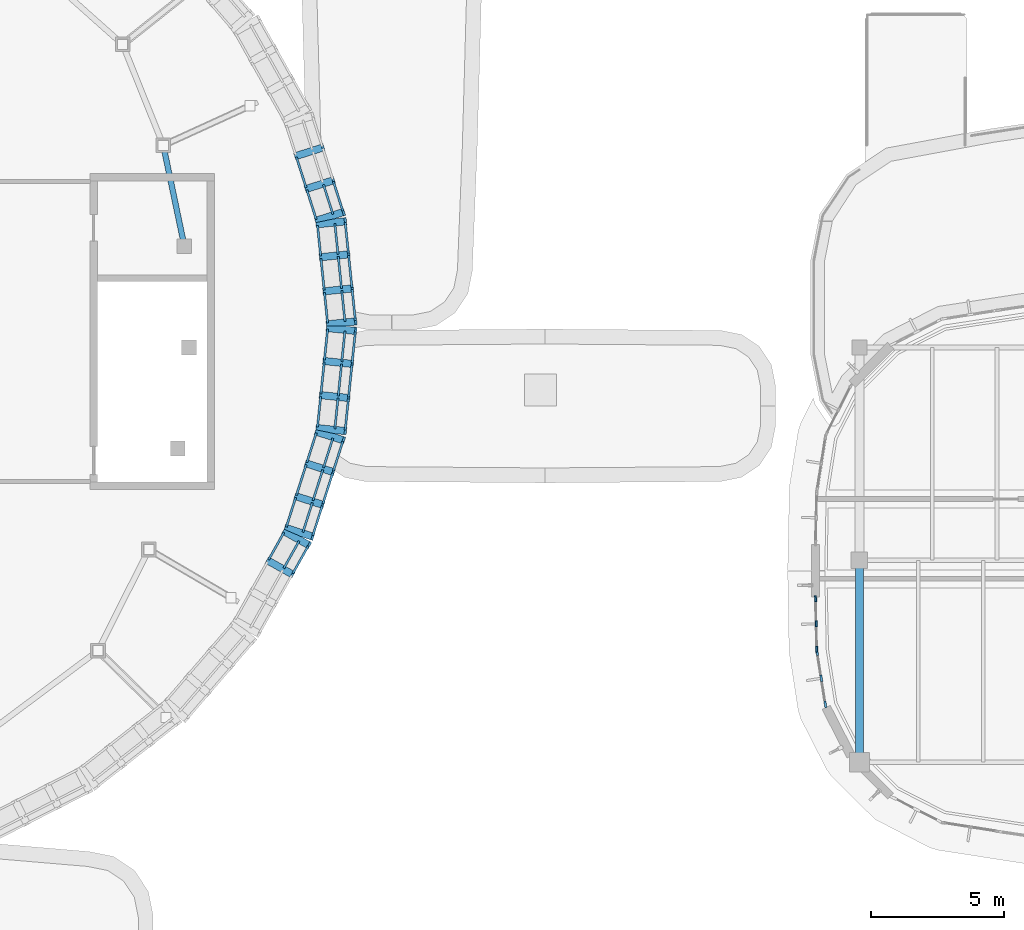
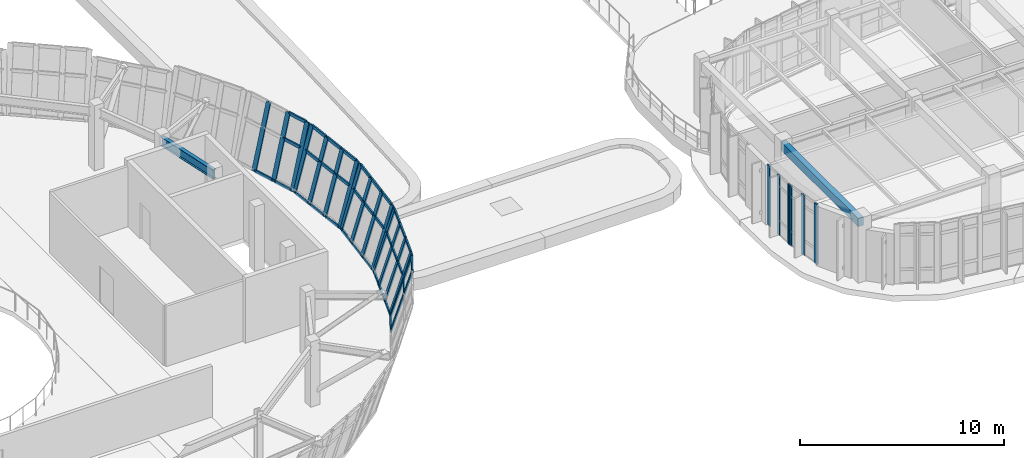
# One storey, part 22 of 111: 57 members, 2 beams, 7 elements without a shape of their own.
"""IFC4 building model written with IfcOpenShell, lengths in metres."""

from ifc_helpers import new_model, si_unit, direction, frame, origin, origin_2d, place, context, subcontext, project, spatial, rectangle, i_section, extrude, material, material_profile, profile_set, type_object, element, aggregate, save


model = new_model("IFC4")

# Units and contexts
model_context = context("Model", 3, precision=1e-05, world=origin(), true_north=direction((0.0, 1.0)))
body_context = subcontext(model_context, "Body", "Model", "MODEL_VIEW")
ifc_project = project(units=[si_unit("LENGTHUNIT", "METRE"), si_unit("AREAUNIT", "SQUARE_METRE"), si_unit("VOLUMEUNIT", "CUBIC_METRE"), si_unit("PLANEANGLEUNIT", "RADIAN"), si_unit("MASSUNIT", "GRAM", prefix="KILO")], contexts=[model_context])

# Site, building, storey
site_placement = place(None, origin())
site = spatial("IfcSite", under=ifc_project, at=site_placement, CompositionType="ELEMENT")
building_placement = place(site_placement, origin())
building = spatial("IfcBuilding", under=site, at=building_placement, Name="Corveleigh Park Community Centre", CompositionType="ELEMENT")
storey_placement = place(building_placement, frame((0.0, 0.0, 4.800048828125)))
storey = spatial("IfcBuildingStorey", under=building, at=storey_placement, Name="L01", CompositionType="ELEMENT", Elevation=4.800048828125)

# Beams
ifc_material_1 = material(Name="Concrete C40/50", Category="concrete")
ifc_material_profile_1 = material_profile(ifc_material_1, rectangle(XDim=0.300048828125, YDim=0.5, at=origin_2d()), Name="RC-300x500", Category="concrete")
ifc_profile_set_1 = profile_set([ifc_material_profile_1], Name="Concrete C40/50")
beam_type_1 = type_object("IfcBeamType", Name="BM-RC-300x500", PredefinedType="BEAM", material=ifc_profile_set_1)
beam_1_placement = place(storey_placement, frame((72.0, 11.205078125, 3.369873046875), z_axis=(0.0, 1.0, 0.0), x_axis=(-1.0, 0.0, 0.0)))
element("IfcBeam", 1, at=beam_1_placement, inside=storey, type_object=beam_type_1, Name="V3 Girder Y", PredefinedType="BEAM", context=body_context, shape_type="SweptSolid", body=[
    extrude(rectangle(XDim=0.300048828125, YDim=0.5, at=origin_2d()), origin(), (0.0, 0.0, 1.0), 7.58984375),
])
ifc_material_2 = material(Name="Steel S355", Category="steel")
ifc_material_profile_2 = material_profile(ifc_material_2, i_section(OverallWidth=0.210693359375, OverallDepth=0.53955078125, WebThickness=0.01171875, FlangeThickness=0.018798828125, at=origin_2d()), Name="UKB 533x210x109", Category="steel")
ifc_profile_set_2 = profile_set([ifc_material_profile_2], Name="Steel S355")
beam_type_2 = type_object("IfcBeamType", Name="BM-STL-UKB533x109", PredefinedType="BEAM", material=ifc_profile_set_2)
beam_2_placement = place(storey_placement, frame((46.613037109375, 30.60498046875, 3.34228515625), z_axis=(-0.204790105702, 0.978805911612, 0.0), x_axis=(-0.978805911612, -0.204790105702, 0.0)))
element("IfcBeam", 2, at=beam_2_placement, inside=storey, type_object=beam_type_2, Name="V1 Drum Ring Girder", PredefinedType="BEAM", context=body_context, shape_type="SweptSolid", body=[
    extrude(i_section(OverallWidth=0.210693359375, OverallDepth=0.53955078125, WebThickness=0.01171875, FlangeThickness=0.018798828125, at=origin_2d()), origin(), (0.0, 0.0, 1.0), 3.8720703125),
])

# Curtain wall, members
ifc_material_3 = material(Name="Anodised aluminium 6063-T6", Category="aluminium")
curtain_wall_type_1 = type_object("IfcCurtainWallType", Name="CW-SYS-V3-UPP", PredefinedType="NOTDEFINED", material=ifc_material_3)
curtain_wall_1_placement = place(storey_placement, origin())
curtain_wall_1 = element("IfcCurtainWall", 3, at=curtain_wall_1_placement, inside=storey, type_object=curtain_wall_type_1, Name="V3 L01 Curtain Wall 256", PredefinedType="NOTDEFINED")
ifc_material_profile_3 = material_profile(ifc_material_3, rectangle(XDim=0.074951171875, YDim=0.219970703125, at=origin_2d()), Name="ALU-M75x220", Category="aluminium")
ifc_profile_set_3 = profile_set([ifc_material_profile_3], Name="Anodised aluminium 6063-T6")
member_type_1 = type_object("IfcMemberType", Name="CWM-75x220", PredefinedType="MULLION", material=ifc_profile_set_3)
member_1_placement = place(storey_placement, frame((70.39892578125, 15.45654296875, 0.0), z_axis=(0.0, 0.0, 1.0), x_axis=(-0.999652514683, -0.026360005464, 0.0)))
member_1 = element("IfcMember", 4, at=member_1_placement, type_object=member_type_1, Name="CW06 mullion 1", PredefinedType="MULLION", context=body_context, shape_type="SweptSolid", body=[
    extrude(rectangle(XDim=0.074951171875, YDim=0.219970703125, at=origin_2d()), origin(), (0.0, 0.0, 1.0), 3.612060546875),
])
member_2_placement = place(storey_placement, frame((70.3740234375, 16.405029296875, 0.0), z_axis=(0.0, 0.0, 1.0), x_axis=(-0.999652514683, -0.026360005464, 0.0)))
member_2 = element("IfcMember", 5, at=member_2_placement, type_object=member_type_1, Name="CW06 mullion 2", PredefinedType="MULLION", context=body_context, shape_type="SweptSolid", body=[
    extrude(rectangle(XDim=0.074951171875, YDim=0.219970703125, at=origin_2d()), origin(), (0.0, 0.0, 1.0), 3.612060546875),
])
member_3_placement = place(storey_placement, frame((70.348876953125, 17.353515625, 0.0), z_axis=(0.0, 0.0, 1.0), x_axis=(-0.999652514683, -0.026360005464, 0.0)))
member_3 = element("IfcMember", 6, at=member_3_placement, type_object=member_type_1, Name="CW06 mullion 3", PredefinedType="MULLION", context=body_context, shape_type="SweptSolid", body=[
    extrude(rectangle(XDim=0.074951171875, YDim=0.219970703125, at=origin_2d()), origin(), (0.0, 0.0, 1.0), 3.612060546875),
])
aggregate(curtain_wall_1, [member_1, member_2, member_3])

curtain_wall_2_placement = place(storey_placement, origin())
curtain_wall_2 = element("IfcCurtainWall", 7, at=curtain_wall_2_placement, inside=storey, type_object=curtain_wall_type_1, Name="V3 L01 Curtain Wall 257", PredefinedType="NOTDEFINED")
ifc_material_profile_4 = material_profile(ifc_material_3, rectangle(XDim=0.080078125, YDim=0.25, at=origin_2d()), Name="ALU-M80x250", Category="aluminium")
ifc_profile_set_4 = profile_set([ifc_material_profile_4], Name="Anodised aluminium 6063-T6")
member_type_2 = type_object("IfcMemberType", Name="CWM-80x250", PredefinedType="MULLION", material=ifc_profile_set_4)
member_4_placement = place(storey_placement, frame((70.720703125, 13.37646484375, 0.0), z_axis=(0.0, 0.0, 1.0), x_axis=(-0.987668756947, -0.156558061275, 0.0)))
member_4 = element("IfcMember", 8, at=member_4_placement, type_object=member_type_2, Name="CW06 mullion 1", PredefinedType="MULLION", context=body_context, shape_type="SweptSolid", body=[
    extrude(rectangle(XDim=0.080078125, YDim=0.25, at=origin_2d()), origin(), (0.0, 0.0, 1.0), 3.619873046875),
])
member_5_placement = place(storey_placement, frame((70.56494140625, 14.35888671875, 0.0), z_axis=(0.0, 0.0, 1.0), x_axis=(-0.987668756947, -0.156558061275, 0.0)))
member_5 = element("IfcMember", 9, at=member_5_placement, type_object=member_type_2, Name="CW06 mullion 2", PredefinedType="MULLION", context=body_context, shape_type="SweptSolid", body=[
    extrude(rectangle(XDim=0.080078125, YDim=0.25, at=origin_2d()), origin(), (0.0, 0.0, 1.0), 3.619873046875),
])
member_6_placement = place(storey_placement, frame((70.4091796875, 15.341552734375, 0.0), z_axis=(0.0, 0.0, 1.0), x_axis=(-0.987668756947, -0.156558061275, 0.0)))
member_6 = element("IfcMember", 10, at=member_6_placement, type_object=member_type_2, Name="CW06 mullion 3", PredefinedType="MULLION", context=body_context, shape_type="SweptSolid", body=[
    extrude(rectangle(XDim=0.080078125, YDim=0.25, at=origin_2d()), origin(), (0.0, 0.0, 1.0), 3.619873046875),
])
aggregate(curtain_wall_2, [member_4, member_5, member_6])

curtain_wall_type_2 = type_object("IfcCurtainWallType", Name="CW-SYS-V1-DRUM", PredefinedType="NOTDEFINED", material=ifc_material_3)
curtain_wall_3_placement = place(storey_placement, origin())
curtain_wall_3 = element("IfcCurtainWall", 11, at=curtain_wall_3_placement, inside=storey, type_object=curtain_wall_type_2, Name="Main Hall Flared Drum CW 162", PredefinedType="NOTDEFINED")
ifc_material_profile_5 = material_profile(ifc_material_3, rectangle(XDim=0.0849609375, YDim=0.27490234375, at=origin_2d()), Name="ALU-M85x275", Category="aluminium")
ifc_profile_set_5 = profile_set([ifc_material_profile_5], Name="Anodised aluminium 6063-T6")
member_type_3 = type_object("IfcMemberType", Name="CWM-85x275", PredefinedType="MULLION", material=ifc_profile_set_5)
member_7_placement = place(storey_placement, frame((51.99267578125, 27.669189453125, 0.0), z_axis=(0.282494852928, 0.029228074942, 0.958823434061), x_axis=(-0.953732257029, -0.098677047011, 0.28400285614)))
member_7 = element("IfcMember", 12, at=member_7_placement, type_object=member_type_3, Name="CW02 mullion 1", PredefinedType="MULLION", context=body_context, shape_type="SweptSolid", body=[
    extrude(rectangle(XDim=0.0849609375, YDim=0.27490234375, at=origin_2d()), origin(), (0.0, 0.0, 1.0), 3.76708984375),
])
member_8_placement = place(storey_placement, frame((51.8642578125, 28.90966796875, 0.0), z_axis=(0.282554486716, 0.029227539796, 0.958805878661), x_axis=(-0.953717111379, -0.098652847989, 0.284062118287)))
member_8 = element("IfcMember", 13, at=member_8_placement, type_object=member_type_3, Name="CW02 mullion 2", PredefinedType="MULLION", context=body_context, shape_type="SweptSolid", body=[
    extrude(rectangle(XDim=0.0849609375, YDim=0.27490234375, at=origin_2d()), origin(), (0.0, 0.0, 1.0), 3.767333984375),
])
member_9_placement = place(storey_placement, frame((51.731689453125, 30.1923828125, 0.0), z_axis=(0.282494852928, 0.029228074942, 0.958823434061), x_axis=(-0.953732257029, -0.098677047011, 0.28400285614)))
member_9 = element("IfcMember", 14, at=member_9_placement, type_object=member_type_3, Name="CW02 mullion 3", PredefinedType="MULLION", context=body_context, shape_type="SweptSolid", body=[
    extrude(rectangle(XDim=0.0849609375, YDim=0.27490234375, at=origin_2d()), origin(), (0.0, 0.0, 1.0), 3.76708984375),
])
member_10_placement = place(storey_placement, frame((51.603271484375, 31.4326171875, 0.0), z_axis=(0.282554486716, 0.029227539796, 0.958805878661), x_axis=(-0.953717111379, -0.098652847989, 0.284062118287)))
member_10 = element("IfcMember", 15, at=member_10_placement, type_object=member_type_3, Name="CW02 mullion 4", PredefinedType="MULLION", context=body_context, shape_type="SweptSolid", body=[
    extrude(rectangle(XDim=0.0849609375, YDim=0.27490234375, at=origin_2d()), origin(), (0.0, 0.0, 1.0), 3.767333984375),
])

curtain_wall_4_placement = place(storey_placement, origin())
curtain_wall_4 = element("IfcCurtainWall", 16, at=curtain_wall_4_placement, inside=storey, type_object=curtain_wall_type_2, Name="Main Hall Flared Drum CW 163", PredefinedType="NOTDEFINED")
member_11_placement = place(storey_placement, frame((51.5751953125, 31.568603515625, 0.0), z_axis=(0.270633081512, 0.086193007282, 0.958816197551), x_axis=(-0.913600188234, -0.290969408609, 0.284027286212)))
member_11 = element("IfcMember", 17, at=member_11_placement, type_object=member_type_3, Name="CW02 mullion 1", PredefinedType="MULLION", context=body_context, shape_type="SweptSolid", body=[
    extrude(rectangle(XDim=0.0849609375, YDim=0.27490234375, at=origin_2d()), origin(), (0.0, 0.0, 1.0), 3.76708984375),
])
member_12_placement = place(storey_placement, frame((51.195068359375, 32.76171875, 0.0), z_axis=(0.270633081512, 0.086193007282, 0.958816197551), x_axis=(-0.913600188234, -0.290969408609, 0.284027286212)))
member_12 = element("IfcMember", 18, at=member_12_placement, type_object=member_type_3, Name="CW02 mullion 2", PredefinedType="MULLION", context=body_context, shape_type="SweptSolid", body=[
    extrude(rectangle(XDim=0.0849609375, YDim=0.27490234375, at=origin_2d()), origin(), (0.0, 0.0, 1.0), 3.76708984375),
])
member_13_placement = place(storey_placement, frame((50.802001953125, 33.995361328125, 0.0), z_axis=(0.270633081512, 0.086193007282, 0.958816197551), x_axis=(-0.913600188234, -0.290969408609, 0.284027286212)))
member_13 = element("IfcMember", 19, at=member_13_placement, type_object=member_type_3, Name="CW02 mullion 3", PredefinedType="MULLION", context=body_context, shape_type="SweptSolid", body=[
    extrude(rectangle(XDim=0.0849609375, YDim=0.27490234375, at=origin_2d()), origin(), (0.0, 0.0, 1.0), 3.76708984375),
])

curtain_wall_5_placement = place(storey_placement, origin())
curtain_wall_5 = element("IfcCurtainWall", 20, at=curtain_wall_5_placement, inside=storey, type_object=curtain_wall_type_2, Name="Main Hall Flared Drum CW 191", PredefinedType="NOTDEFINED")
member_14_placement = place(storey_placement, frame((49.75, 18.785888671875, 0.0), z_axis=(0.247693281715, -0.138946728414, 0.958823156195), x_axis=(-0.836235497404, 0.469097045116, 0.284003794242)))
member_14 = element("IfcMember", 21, at=member_14_placement, type_object=member_type_3, Name="CW02 mullion 3", PredefinedType="MULLION", context=body_context, shape_type="SweptSolid", body=[
    extrude(rectangle(XDim=0.0849609375, YDim=0.27490234375, at=origin_2d()), origin(), (0.0, 0.0, 1.0), 3.76708984375),
])
member_15_placement = place(storey_placement, frame((50.3671875, 19.885986328125, 0.0), z_axis=(0.247691050808, -0.139010283617, 0.958814520331), x_axis=(-0.836134602223, 0.469259215534, 0.284032948092)))
member_15 = element("IfcMember", 22, at=member_15_placement, type_object=member_type_3, Name="CW02 mullion 4", PredefinedType="MULLION", context=body_context, shape_type="SweptSolid", body=[
    extrude(rectangle(XDim=0.0849609375, YDim=0.27490234375, at=origin_2d()), origin(), (0.0, 0.0, 1.0), 3.767333984375),
])

curtain_wall_6_placement = place(storey_placement, origin())
curtain_wall_6 = element("IfcCurtainWall", 23, at=curtain_wall_6_placement, inside=storey, type_object=curtain_wall_type_2, Name="Main Hall Flared Drum CW 192", PredefinedType="NOTDEFINED")
member_16_placement = place(storey_placement, frame((50.421875, 20.011474609375, 0.0), z_axis=(0.270633081512, -0.086193007282, 0.958816197551), x_axis=(-0.913600188234, 0.290969408609, 0.284027286212)))
member_16 = element("IfcMember", 24, at=member_16_placement, type_object=member_type_3, Name="CW02 mullion 1", PredefinedType="MULLION", context=body_context, shape_type="SweptSolid", body=[
    extrude(rectangle(XDim=0.0849609375, YDim=0.27490234375, at=origin_2d()), origin(), (0.0, 0.0, 1.0), 3.76708984375),
])
member_17_placement = place(storey_placement, frame((50.802001953125, 21.20458984375, 0.0), z_axis=(0.270633081512, -0.086193007282, 0.958816197551), x_axis=(-0.913600188234, 0.290969408609, 0.284027286212)))
member_17 = element("IfcMember", 25, at=member_17_placement, type_object=member_type_3, Name="CW02 mullion 2", PredefinedType="MULLION", context=body_context, shape_type="SweptSolid", body=[
    extrude(rectangle(XDim=0.0849609375, YDim=0.27490234375, at=origin_2d()), origin(), (0.0, 0.0, 1.0), 3.76708984375),
])
member_18_placement = place(storey_placement, frame((51.195068359375, 22.438232421875, 0.0), z_axis=(0.270633081512, -0.086193007282, 0.958816197551), x_axis=(-0.913600188234, 0.290969408609, 0.284027286212)))
member_18 = element("IfcMember", 26, at=member_18_placement, type_object=member_type_3, Name="CW02 mullion 3", PredefinedType="MULLION", context=body_context, shape_type="SweptSolid", body=[
    extrude(rectangle(XDim=0.0849609375, YDim=0.27490234375, at=origin_2d()), origin(), (0.0, 0.0, 1.0), 3.76708984375),
])
member_19_placement = place(storey_placement, frame((51.5751953125, 23.631591796875, 0.0), z_axis=(0.27063156923, -0.086257332051, 0.95881083974), x_axis=(-0.913531806337, 0.291166387508, 0.284045372426)))
member_19 = element("IfcMember", 27, at=member_19_placement, type_object=member_type_3, Name="CW02 mullion 4", PredefinedType="MULLION", context=body_context, shape_type="SweptSolid", body=[
    extrude(rectangle(XDim=0.0849609375, YDim=0.27490234375, at=origin_2d()), origin(), (0.0, 0.0, 1.0), 3.767333984375),
])

curtain_wall_7_placement = place(storey_placement, origin())
curtain_wall_7 = element("IfcCurtainWall", 28, at=curtain_wall_7_placement, inside=storey, type_object=curtain_wall_type_2, Name="Main Hall Flared Drum CW 193", PredefinedType="NOTDEFINED")
member_20_placement = place(storey_placement, frame((51.603271484375, 23.767333984375, 0.0), z_axis=(0.282554486716, -0.029227539796, 0.958805878661), x_axis=(-0.953717111379, 0.098652847989, 0.284062118287)))
member_20 = element("IfcMember", 29, at=member_20_placement, type_object=member_type_3, Name="CW02 mullion 1", PredefinedType="MULLION", context=body_context, shape_type="SweptSolid", body=[
    extrude(rectangle(XDim=0.0849609375, YDim=0.27490234375, at=origin_2d()), origin(), (0.0, 0.0, 1.0), 3.767333984375),
])
member_21_placement = place(storey_placement, frame((51.731689453125, 25.007568359375, 0.0), z_axis=(0.282495387436, -0.02916332286, 0.958825248248), x_axis=(-0.953756435359, 0.09846074694, 0.283996731183)))
member_21 = element("IfcMember", 30, at=member_21_placement, type_object=member_type_3, Name="CW02 mullion 2", PredefinedType="MULLION", context=body_context, shape_type="SweptSolid", body=[
    extrude(rectangle(XDim=0.0849609375, YDim=0.27490234375, at=origin_2d()), origin(), (0.0, 0.0, 1.0), 3.76708984375),
])
member_22_placement = place(storey_placement, frame((51.8642578125, 26.290283203125, 0.0), z_axis=(0.282554486716, -0.029227539796, 0.958805878661), x_axis=(-0.953717111379, 0.098652847989, 0.284062118287)))
member_22 = element("IfcMember", 31, at=member_22_placement, type_object=member_type_3, Name="CW02 mullion 3", PredefinedType="MULLION", context=body_context, shape_type="SweptSolid", body=[
    extrude(rectangle(XDim=0.0849609375, YDim=0.27490234375, at=origin_2d()), origin(), (0.0, 0.0, 1.0), 3.767333984375),
])
member_23_placement = place(storey_placement, frame((51.99267578125, 27.53076171875, 0.0), z_axis=(0.282494852928, -0.029228074942, 0.958823434061), x_axis=(-0.953732257029, 0.098677047011, 0.28400285614)))
member_23 = element("IfcMember", 32, at=member_23_placement, type_object=member_type_3, Name="CW02 mullion 4", PredefinedType="MULLION", context=body_context, shape_type="SweptSolid", body=[
    extrude(rectangle(XDim=0.0849609375, YDim=0.27490234375, at=origin_2d()), origin(), (0.0, 0.0, 1.0), 3.76708984375),
])

# Member
ifc_material_profile_6 = material_profile(ifc_material_3, rectangle(XDim=0.080078125, YDim=0.195068359375, at=origin_2d()), Name="ALU-T80x195", Category="aluminium")
ifc_profile_set_6 = profile_set([ifc_material_profile_6], Name="Anodised aluminium 6063-T6")
member_type_4 = type_object("IfcMemberType", Name="CWT-80x195", PredefinedType="USERDEFINED", material=ifc_profile_set_6)
member_24_placement = place(storey_placement, frame((52.0, 27.712646484375, 0.0400390625), z_axis=(-0.102934986728, 0.994688086039, 0.0), x_axis=(-0.994688086039, -0.102934986728, 0.0)))
member_24 = element("IfcMember", 33, at=member_24_placement, type_object=member_type_4, Name="CW02 transom 1.1", ObjectType="TRANSOM", PredefinedType="USERDEFINED", context=body_context, shape_type="SweptSolid", body=[
    extrude(rectangle(XDim=0.080078125, YDim=0.195068359375, at=origin_2d()), origin(), (0.0, 0.0, 1.0), 1.162109375),
])

member_25_placement = place(storey_placement, frame((52.6513671875, 27.780029296875, 2.25), z_axis=(-0.102934986728, 0.994688086039, 0.0), x_axis=(-0.994688086039, -0.102934986728, 0.0)))
member_25 = element("IfcMember", 34, at=member_25_placement, type_object=member_type_4, Name="CW02 transom 1.2", ObjectType="TRANSOM", PredefinedType="USERDEFINED", context=body_context, shape_type="SweptSolid", body=[
    extrude(rectangle(XDim=0.080078125, YDim=0.195068359375, at=origin_2d()), origin(), (0.0, 0.0, 1.0), 1.162109375),
])

member_26_placement = place(storey_placement, frame((53.040771484375, 27.8203125, 3.572021484375), z_axis=(-0.102934986728, 0.994688086039, 0.0), x_axis=(-0.994688086039, -0.102934986728, 0.0)))
member_26 = element("IfcMember", 35, at=member_26_placement, type_object=member_type_4, Name="CW02 transom 1.3", ObjectType="TRANSOM", PredefinedType="USERDEFINED", context=body_context, shape_type="SweptSolid", body=[
    extrude(rectangle(XDim=0.080078125, YDim=0.195068359375, at=origin_2d()), origin(), (0.0, 0.0, 1.0), 1.162109375),
])

member_27_placement = place(storey_placement, frame((51.871826171875, 28.953125, 0.0400390625), z_axis=(-0.102954466897, 0.994686069947, 0.0), x_axis=(-0.994686069947, -0.102954466897, 0.0)))
member_27 = element("IfcMember", 36, at=member_27_placement, type_object=member_type_4, Name="CW02 transom 2.1", ObjectType="TRANSOM", PredefinedType="USERDEFINED", context=body_context, shape_type="SweptSolid", body=[
    extrude(rectangle(XDim=0.080078125, YDim=0.195068359375, at=origin_2d()), origin(), (0.0, 0.0, 1.0), 1.20458984375),
])

member_28_placement = place(storey_placement, frame((52.52294921875, 29.0205078125, 2.25), z_axis=(-0.102954466897, 0.994686069947, 0.0), x_axis=(-0.994686069947, -0.102954466897, 0.0)))
member_28 = element("IfcMember", 37, at=member_28_placement, type_object=member_type_4, Name="CW02 transom 2.2", ObjectType="TRANSOM", PredefinedType="USERDEFINED", context=body_context, shape_type="SweptSolid", body=[
    extrude(rectangle(XDim=0.080078125, YDim=0.195068359375, at=origin_2d()), origin(), (0.0, 0.0, 1.0), 1.20458984375),
])

member_29_placement = place(storey_placement, frame((52.91259765625, 29.060791015625, 3.572021484375), z_axis=(-0.102954466897, 0.994686069947, 0.0), x_axis=(-0.994686069947, -0.102954466897, 0.0)))
member_29 = element("IfcMember", 38, at=member_29_placement, type_object=member_type_4, Name="CW02 transom 2.3", ObjectType="TRANSOM", PredefinedType="USERDEFINED", context=body_context, shape_type="SweptSolid", body=[
    extrude(rectangle(XDim=0.080078125, YDim=0.195068359375, at=origin_2d()), origin(), (0.0, 0.0, 1.0), 1.20458984375),
])

member_30_placement = place(storey_placement, frame((51.739013671875, 30.23583984375, 0.0400390625), z_axis=(-0.102748605217, 0.994707356023, 0.0), x_axis=(-0.994707356023, -0.102748605217, 0.0)))
member_30 = element("IfcMember", 39, at=member_30_placement, type_object=member_type_4, Name="CW02 transom 3.1", ObjectType="TRANSOM", PredefinedType="USERDEFINED", context=body_context, shape_type="SweptSolid", body=[
    extrude(rectangle(XDim=0.080078125, YDim=0.195068359375, at=origin_2d()), origin(), (0.0, 0.0, 1.0), 1.161865234375),
])

member_31_placement = place(storey_placement, frame((52.390380859375, 30.30322265625, 2.25), z_axis=(-0.102956500033, 0.994685859506, 0.0), x_axis=(-0.994685859506, -0.102956500033, 0.0)))
member_31 = element("IfcMember", 40, at=member_31_placement, type_object=member_type_4, Name="CW02 transom 3.2", ObjectType="TRANSOM", PredefinedType="USERDEFINED", context=body_context, shape_type="SweptSolid", body=[
    extrude(rectangle(XDim=0.080078125, YDim=0.195068359375, at=origin_2d()), origin(), (0.0, 0.0, 1.0), 1.161865234375),
])

member_32_placement = place(storey_placement, frame((52.77978515625, 30.343505859375, 3.572021484375), z_axis=(-0.102748605217, 0.994707356023, 0.0), x_axis=(-0.994707356023, -0.102748605217, 0.0)))
member_32 = element("IfcMember", 41, at=member_32_placement, type_object=member_type_4, Name="CW02 transom 3.3", ObjectType="TRANSOM", PredefinedType="USERDEFINED", context=body_context, shape_type="SweptSolid", body=[
    extrude(rectangle(XDim=0.080078125, YDim=0.195068359375, at=origin_2d()), origin(), (0.0, 0.0, 1.0), 1.161865234375),
])

aggregate(curtain_wall_3, [member_7, member_8, member_9, member_10, member_24, member_25, member_26, member_27, member_28, member_29, member_30, member_31, member_32])

member_33_placement = place(storey_placement, frame((51.573486328125, 31.612548828125, 0.0400390625), z_axis=(-0.303462619097, 0.952843344318, 0.0), x_axis=(-0.952843344318, -0.303462619097, 0.0)))
member_33 = element("IfcMember", 42, at=member_33_placement, type_object=member_type_4, Name="CW02 transom 1.1", ObjectType="TRANSOM", PredefinedType="USERDEFINED", context=body_context, shape_type="SweptSolid", body=[
    extrude(rectangle(XDim=0.080078125, YDim=0.195068359375, at=origin_2d()), origin(), (0.0, 0.0, 1.0), 1.167236328125),
])

member_34_placement = place(storey_placement, frame((52.197265625, 31.811279296875, 2.25), z_axis=(-0.303462619097, 0.952843344318, 0.0), x_axis=(-0.952843344318, -0.303462619097, 0.0)))
member_34 = element("IfcMember", 43, at=member_34_placement, type_object=member_type_4, Name="CW02 transom 1.2", ObjectType="TRANSOM", PredefinedType="USERDEFINED", context=body_context, shape_type="SweptSolid", body=[
    extrude(rectangle(XDim=0.080078125, YDim=0.195068359375, at=origin_2d()), origin(), (0.0, 0.0, 1.0), 1.167236328125),
])

member_35_placement = place(storey_placement, frame((52.5703125, 31.93017578125, 3.572021484375), z_axis=(-0.303523103954, 0.952824078918, 0.0), x_axis=(-0.952824078918, -0.303523103954, 0.0)))
member_35 = element("IfcMember", 44, at=member_35_placement, type_object=member_type_4, Name="CW02 transom 1.3", ObjectType="TRANSOM", PredefinedType="USERDEFINED", context=body_context, shape_type="SweptSolid", body=[
    extrude(rectangle(XDim=0.080078125, YDim=0.195068359375, at=origin_2d()), origin(), (0.0, 0.0, 1.0), 1.167236328125),
])

member_36_placement = place(storey_placement, frame((51.193359375, 32.8056640625, 0.0400390625), z_axis=(-0.303486826379, 0.952835634417, 0.0), x_axis=(-0.952835634417, -0.303486826379, 0.0)))
member_36 = element("IfcMember", 45, at=member_36_placement, type_object=member_type_4, Name="CW02 transom 2.1", ObjectType="TRANSOM", PredefinedType="USERDEFINED", context=body_context, shape_type="SweptSolid", body=[
    extrude(rectangle(XDim=0.080078125, YDim=0.195068359375, at=origin_2d()), origin(), (0.0, 0.0, 1.0), 1.2099609375),
])

aggregate(curtain_wall_4, [member_11, member_12, member_13, member_33, member_34, member_35, member_36])

member_37_placement = place(storey_placement, frame((49.78125, 18.8173828125, 0.0400390625), z_axis=(0.489304892071, 0.872112792359, 0.0), x_axis=(-0.872112792359, 0.489304892071, 0.0)))
member_37 = element("IfcMember", 46, at=member_37_placement, type_object=member_type_4, Name="CW02 transom 3.1", ObjectType="TRANSOM", PredefinedType="USERDEFINED", context=body_context, shape_type="SweptSolid", body=[
    extrude(rectangle(XDim=0.080078125, YDim=0.195068359375, at=origin_2d()), origin(), (0.0, 0.0, 1.0), 1.176025390625),
])

member_38_placement = place(storey_placement, frame((50.35205078125, 18.496826171875, 2.25), z_axis=(0.489374177373, 0.872073915743, 0.0), x_axis=(-0.872073915743, 0.489374177373, 0.0)))
member_38 = element("IfcMember", 47, at=member_38_placement, type_object=member_type_4, Name="CW02 transom 3.2", ObjectType="TRANSOM", PredefinedType="USERDEFINED", context=body_context, shape_type="SweptSolid", body=[
    extrude(rectangle(XDim=0.080078125, YDim=0.195068359375, at=origin_2d()), origin(), (0.0, 0.0, 1.0), 1.17626953125),
])

member_39_placement = place(storey_placement, frame((50.693603515625, 18.30517578125, 3.572021484375), z_axis=(0.489374177373, 0.872073915743, 0.0), x_axis=(-0.872073915743, 0.489374177373, 0.0)))
member_39 = element("IfcMember", 48, at=member_39_placement, type_object=member_type_4, Name="CW02 transom 3.3", ObjectType="TRANSOM", PredefinedType="USERDEFINED", context=body_context, shape_type="SweptSolid", body=[
    extrude(rectangle(XDim=0.080078125, YDim=0.195068359375, at=origin_2d()), origin(), (0.0, 0.0, 1.0), 1.17626953125),
])

aggregate(curtain_wall_5, [member_14, member_15, member_37, member_38, member_39])

member_40_placement = place(storey_placement, frame((50.446044921875, 20.04833984375, 0.0400390625), z_axis=(0.303462619097, 0.952843344318, 0.0), x_axis=(-0.952843344318, 0.303462619097, 0.0)))
member_40 = element("IfcMember", 49, at=member_40_placement, type_object=member_type_4, Name="CW02 transom 1.1", ObjectType="TRANSOM", PredefinedType="USERDEFINED", context=body_context, shape_type="SweptSolid", body=[
    extrude(rectangle(XDim=0.080078125, YDim=0.195068359375, at=origin_2d()), origin(), (0.0, 0.0, 1.0), 1.167236328125),
])

member_41_placement = place(storey_placement, frame((51.06982421875, 19.849609375, 2.25), z_axis=(0.303462619097, 0.952843344318, 0.0), x_axis=(-0.952843344318, 0.303462619097, 0.0)))
member_41 = element("IfcMember", 50, at=member_41_placement, type_object=member_type_4, Name="CW02 transom 1.2", ObjectType="TRANSOM", PredefinedType="USERDEFINED", context=body_context, shape_type="SweptSolid", body=[
    extrude(rectangle(XDim=0.080078125, YDim=0.195068359375, at=origin_2d()), origin(), (0.0, 0.0, 1.0), 1.167236328125),
])

member_42_placement = place(storey_placement, frame((51.443115234375, 19.730712890625, 3.572021484375), z_axis=(0.303462619097, 0.952843344318, 0.0), x_axis=(-0.952843344318, 0.303462619097, 0.0)))
member_42 = element("IfcMember", 51, at=member_42_placement, type_object=member_type_4, Name="CW02 transom 1.3", ObjectType="TRANSOM", PredefinedType="USERDEFINED", context=body_context, shape_type="SweptSolid", body=[
    extrude(rectangle(XDim=0.080078125, YDim=0.195068359375, at=origin_2d()), origin(), (0.0, 0.0, 1.0), 1.167236328125),
])

member_43_placement = place(storey_placement, frame((50.826171875, 21.241455078125, 0.0400390625), z_axis=(0.303486826379, 0.952835634417, 0.0), x_axis=(-0.952835634417, 0.303486826379, 0.0)))
member_43 = element("IfcMember", 52, at=member_43_placement, type_object=member_type_4, Name="CW02 transom 2.1", ObjectType="TRANSOM", PredefinedType="USERDEFINED", context=body_context, shape_type="SweptSolid", body=[
    extrude(rectangle(XDim=0.080078125, YDim=0.195068359375, at=origin_2d()), origin(), (0.0, 0.0, 1.0), 1.2099609375),
])

member_44_placement = place(storey_placement, frame((51.449951171875, 21.04296875, 2.25), z_axis=(0.303545188238, 0.952817043665, 0.0), x_axis=(-0.952817043665, 0.303545188238, 0.0)))
member_44 = element("IfcMember", 53, at=member_44_placement, type_object=member_type_4, Name="CW02 transom 2.2", ObjectType="TRANSOM", PredefinedType="USERDEFINED", context=body_context, shape_type="SweptSolid", body=[
    extrude(rectangle(XDim=0.080078125, YDim=0.195068359375, at=origin_2d()), origin(), (0.0, 0.0, 1.0), 1.209716796875),
])

member_45_placement = place(storey_placement, frame((51.8232421875, 20.924072265625, 3.572021484375), z_axis=(0.303545188238, 0.952817043665, 0.0), x_axis=(-0.952817043665, 0.303545188238, 0.0)))
member_45 = element("IfcMember", 54, at=member_45_placement, type_object=member_type_4, Name="CW02 transom 2.3", ObjectType="TRANSOM", PredefinedType="USERDEFINED", context=body_context, shape_type="SweptSolid", body=[
    extrude(rectangle(XDim=0.080078125, YDim=0.195068359375, at=origin_2d()), origin(), (0.0, 0.0, 1.0), 1.209716796875),
])

member_46_placement = place(storey_placement, frame((51.21923828125, 22.475341796875, 0.0400390625), z_axis=(0.303523103954, 0.952824078918, 0.0), x_axis=(-0.952824078918, 0.303523103954, 0.0)))
member_46 = element("IfcMember", 55, at=member_46_placement, type_object=member_type_4, Name="CW02 transom 3.1", ObjectType="TRANSOM", PredefinedType="USERDEFINED", context=body_context, shape_type="SweptSolid", body=[
    extrude(rectangle(XDim=0.080078125, YDim=0.195068359375, at=origin_2d()), origin(), (0.0, 0.0, 1.0), 1.167236328125),
])

member_47_placement = place(storey_placement, frame((51.843017578125, 22.276611328125, 2.25), z_axis=(0.303523103954, 0.952824078918, 0.0), x_axis=(-0.952824078918, 0.303523103954, 0.0)))
member_47 = element("IfcMember", 56, at=member_47_placement, type_object=member_type_4, Name="CW02 transom 3.2", ObjectType="TRANSOM", PredefinedType="USERDEFINED", context=body_context, shape_type="SweptSolid", body=[
    extrude(rectangle(XDim=0.080078125, YDim=0.195068359375, at=origin_2d()), origin(), (0.0, 0.0, 1.0), 1.167236328125),
])

member_48_placement = place(storey_placement, frame((52.216064453125, 22.15771484375, 3.572021484375), z_axis=(0.303523103954, 0.952824078918, 0.0), x_axis=(-0.952824078918, 0.303523103954, 0.0)))
member_48 = element("IfcMember", 57, at=member_48_placement, type_object=member_type_4, Name="CW02 transom 3.3", ObjectType="TRANSOM", PredefinedType="USERDEFINED", context=body_context, shape_type="SweptSolid", body=[
    extrude(rectangle(XDim=0.080078125, YDim=0.195068359375, at=origin_2d()), origin(), (0.0, 0.0, 1.0), 1.167236328125),
])

aggregate(curtain_wall_6, [member_16, member_17, member_18, member_19, member_40, member_41, member_42, member_43, member_44, member_45, member_46, member_47, member_48])

member_49_placement = place(storey_placement, frame((51.61962890625, 23.808349609375, 0.0400390625), z_axis=(0.102748605217, 0.994707356023, 0.0), x_axis=(-0.994707356023, 0.102748605217, 0.0)))
member_49 = element("IfcMember", 58, at=member_49_placement, type_object=member_type_4, Name="CW02 transom 1.1", ObjectType="TRANSOM", PredefinedType="USERDEFINED", context=body_context, shape_type="SweptSolid", body=[
    extrude(rectangle(XDim=0.080078125, YDim=0.195068359375, at=origin_2d()), origin(), (0.0, 0.0, 1.0), 1.161865234375),
])

member_50_placement = place(storey_placement, frame((52.270751953125, 23.740966796875, 2.25), z_axis=(0.102956500033, 0.994685859506, 0.0), x_axis=(-0.994685859506, 0.102956500033, 0.0)))
member_50 = element("IfcMember", 59, at=member_50_placement, type_object=member_type_4, Name="CW02 transom 1.2", ObjectType="TRANSOM", PredefinedType="USERDEFINED", context=body_context, shape_type="SweptSolid", body=[
    extrude(rectangle(XDim=0.080078125, YDim=0.195068359375, at=origin_2d()), origin(), (0.0, 0.0, 1.0), 1.161865234375),
])

member_51_placement = place(storey_placement, frame((52.660400390625, 23.70068359375, 3.572021484375), z_axis=(0.102748605217, 0.994707356023, 0.0), x_axis=(-0.994707356023, 0.102748605217, 0.0)))
member_51 = element("IfcMember", 60, at=member_51_placement, type_object=member_type_4, Name="CW02 transom 1.3", ObjectType="TRANSOM", PredefinedType="USERDEFINED", context=body_context, shape_type="SweptSolid", body=[
    extrude(rectangle(XDim=0.080078125, YDim=0.195068359375, at=origin_2d()), origin(), (0.0, 0.0, 1.0), 1.161865234375),
])

member_52_placement = place(storey_placement, frame((51.747802734375, 25.048828125, 0.0400390625), z_axis=(0.102975225581, 0.994683921111, 0.0), x_axis=(-0.994683921111, 0.102975225581, 0.0)))
member_52 = element("IfcMember", 61, at=member_52_placement, type_object=member_type_4, Name="CW02 transom 2.1", ObjectType="TRANSOM", PredefinedType="USERDEFINED", context=body_context, shape_type="SweptSolid", body=[
    extrude(rectangle(XDim=0.080078125, YDim=0.195068359375, at=origin_2d()), origin(), (0.0, 0.0, 1.0), 1.204345703125),
])

member_53_placement = place(storey_placement, frame((52.39892578125, 24.9814453125, 2.25), z_axis=(0.102975225581, 0.994683921111, 0.0), x_axis=(-0.994683921111, 0.102975225581, 0.0)))
member_53 = element("IfcMember", 62, at=member_53_placement, type_object=member_type_4, Name="CW02 transom 2.2", ObjectType="TRANSOM", PredefinedType="USERDEFINED", context=body_context, shape_type="SweptSolid", body=[
    extrude(rectangle(XDim=0.080078125, YDim=0.195068359375, at=origin_2d()), origin(), (0.0, 0.0, 1.0), 1.204345703125),
])

member_54_placement = place(storey_placement, frame((52.78857421875, 24.941162109375, 3.572021484375), z_axis=(0.102975225581, 0.994683921111, 0.0), x_axis=(-0.994683921111, 0.102975225581, 0.0)))
member_54 = element("IfcMember", 63, at=member_54_placement, type_object=member_type_4, Name="CW02 transom 2.3", ObjectType="TRANSOM", PredefinedType="USERDEFINED", context=body_context, shape_type="SweptSolid", body=[
    extrude(rectangle(XDim=0.080078125, YDim=0.195068359375, at=origin_2d()), origin(), (0.0, 0.0, 1.0), 1.204345703125),
])

member_55_placement = place(storey_placement, frame((51.88037109375, 26.331298828125, 0.0400390625), z_axis=(0.102934986728, 0.994688086039, 0.0), x_axis=(-0.994688086039, 0.102934986728, 0.0)))
member_55 = element("IfcMember", 64, at=member_55_placement, type_object=member_type_4, Name="CW02 transom 3.1", ObjectType="TRANSOM", PredefinedType="USERDEFINED", context=body_context, shape_type="SweptSolid", body=[
    extrude(rectangle(XDim=0.080078125, YDim=0.195068359375, at=origin_2d()), origin(), (0.0, 0.0, 1.0), 1.162109375),
])

member_56_placement = place(storey_placement, frame((52.53173828125, 26.263916015625, 2.25), z_axis=(0.102934986728, 0.994688086039, 0.0), x_axis=(-0.994688086039, 0.102934986728, 0.0)))
member_56 = element("IfcMember", 65, at=member_56_placement, type_object=member_type_4, Name="CW02 transom 3.2", ObjectType="TRANSOM", PredefinedType="USERDEFINED", context=body_context, shape_type="SweptSolid", body=[
    extrude(rectangle(XDim=0.080078125, YDim=0.195068359375, at=origin_2d()), origin(), (0.0, 0.0, 1.0), 1.162109375),
])

member_57_placement = place(storey_placement, frame((52.921142578125, 26.2236328125, 3.572021484375), z_axis=(0.102934986728, 0.994688086039, 0.0), x_axis=(-0.994688086039, 0.102934986728, 0.0)))
member_57 = element("IfcMember", 66, at=member_57_placement, type_object=member_type_4, Name="CW02 transom 3.3", ObjectType="TRANSOM", PredefinedType="USERDEFINED", context=body_context, shape_type="SweptSolid", body=[
    extrude(rectangle(XDim=0.080078125, YDim=0.195068359375, at=origin_2d()), origin(), (0.0, 0.0, 1.0), 1.162109375),
])

aggregate(curtain_wall_7, [member_20, member_21, member_22, member_23, member_49, member_50, member_51, member_52, member_53, member_54, member_55, member_56, member_57])

save(model, "model.ifc")
